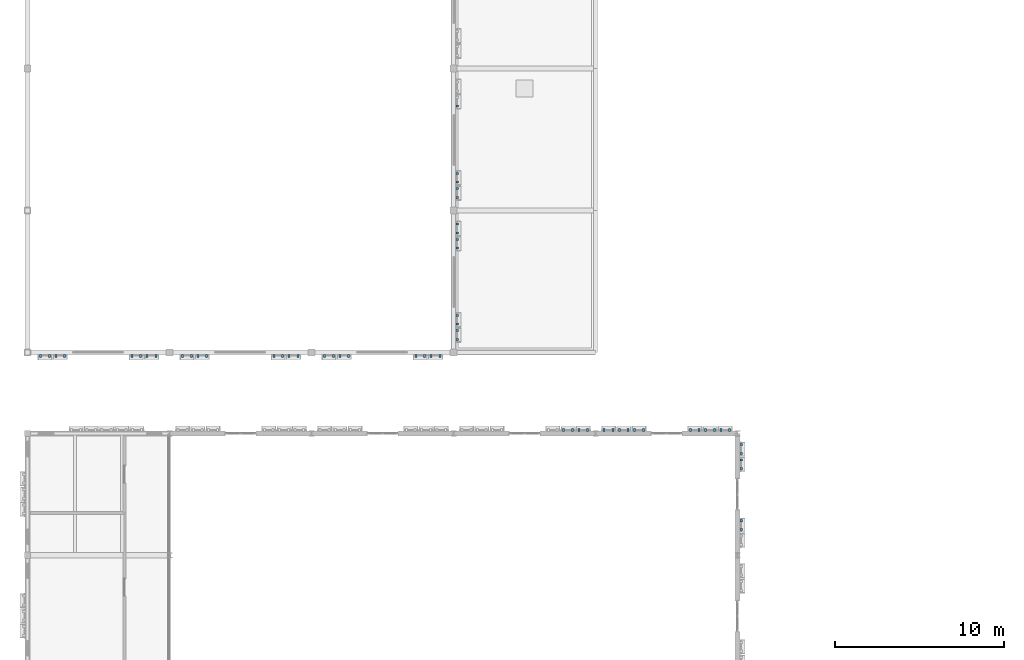
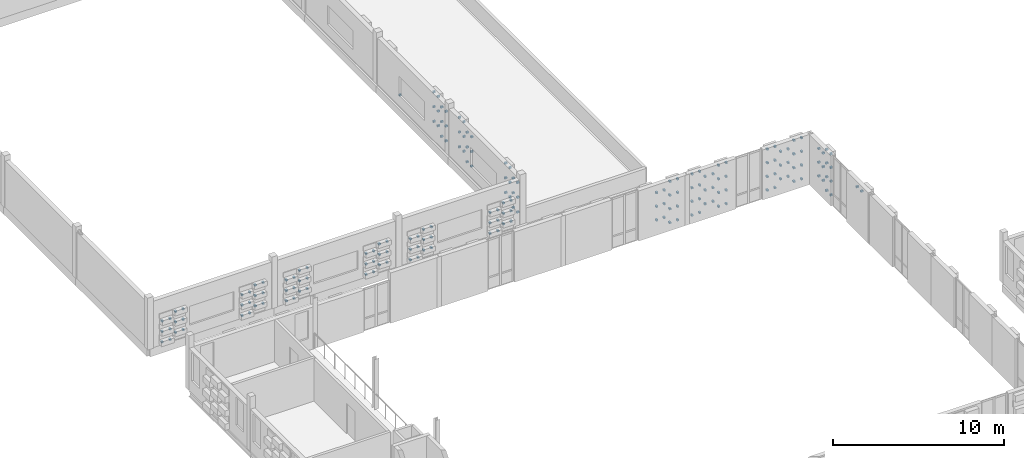
# One storey, part 48 of 57: 183 discrete accessories.
"""IFC4 building model written with IfcOpenShell, lengths in metres."""

from ifc_helpers import new_model, si_unit, direction, frame, origin, origin_2d, place, context, subcontext, project, spatial, rectangle, extrude, material, type_object, element, save


model = new_model("IFC4")

# Units and contexts
model_context = context("Model", 3, precision=1e-05, world=origin(), true_north=direction((0.0, 1.0)))
body_context = subcontext(model_context, "Body", "Model", "MODEL_VIEW")
ifc_project = project(units=[si_unit("LENGTHUNIT", "METRE"), si_unit("AREAUNIT", "SQUARE_METRE"), si_unit("VOLUMEUNIT", "CUBIC_METRE"), si_unit("PLANEANGLEUNIT", "RADIAN"), si_unit("MASSUNIT", "GRAM", prefix="KILO")], contexts=[model_context])

# Site, building, storey
site_placement = place(None, origin())
site = spatial("IfcSite", under=ifc_project, at=site_placement, CompositionType="ELEMENT")
building_placement = place(site_placement, origin())
building = spatial("IfcBuilding", under=site, at=building_placement, Name="Kahlenmark Community Centre", CompositionType="ELEMENT")
storey_placement = place(building_placement, frame((0.0, 0.0, 13.800048828125)))
storey = spatial("IfcBuildingStorey", under=building, at=storey_placement, Name="L03", CompositionType="ELEMENT", Elevation=13.800048828125)

# Discrete accessories
ifc_material = material(Name="Stainless steel 1.4401 rainscreen bracket", Category="steel")
discrete_accessory_type = type_object("IfcDiscreteAccessoryType", Name="DAT-BRACKET-TC", PredefinedType="BRACKET", material=ifc_material)
for number, where, z_axis, x_axis, name in (
    (1, (37.1298828125, 37.81005859375, 0.264892578125), (0.0, 0.0, 1.0), (-1.0, 0.0, 0.0), "Terracotta cassette bracket 3676.1"),
    (2, (36.610107421875, 37.81005859375, 0.264892578125), (0.0, 0.0, 1.0), (-1.0, 0.0, 0.0), "Terracotta cassette bracket 3676.2"),
    (3, (37.1298828125, 37.81005859375, 1.244873046875), (0.0, 0.0, 1.0), (-1.0, 0.0, 0.0), "Terracotta cassette bracket 3678.1"),
    (4, (36.610107421875, 37.81005859375, 1.244873046875), (0.0, 0.0, 1.0), (-1.0, 0.0, 0.0), "Terracotta cassette bracket 3678.2"),
    (5, (37.1298828125, 37.81005859375, 2.224853515625), (0.0, 0.0, 1.0), (-1.0, 0.0, 0.0), "Terracotta cassette bracket 3680.1"),
    (6, (36.610107421875, 37.81005859375, 2.224853515625), (0.0, 0.0, 1.0), (-1.0, 0.0, 0.0), "Terracotta cassette bracket 3680.2"),
    (7, (37.1298828125, 37.81005859375, 3.204833984375), (0.0, 0.0, 1.0), (-1.0, 0.0, 0.0), "Terracotta cassette bracket 3682.1"),
    (8, (36.610107421875, 37.81005859375, 3.204833984375), (0.0, 0.0, 1.0), (-1.0, 0.0, 0.0), "Terracotta cassette bracket 3682.2"),
    (9, (36.22998046875, 37.81005859375, 0.7548828125), (0.0, 0.0, 1.0), (-1.0, 0.0, 0.0), "Terracotta cassette bracket 3684.1"),
    (10, (35.7099609375, 37.81005859375, 0.7548828125), (0.0, 0.0, 1.0), (-1.0, 0.0, 0.0), "Terracotta cassette bracket 3684.2"),
    (11, (36.22998046875, 37.81005859375, 1.73486328125), (0.0, 0.0, 1.0), (-1.0, 0.0, 0.0), "Terracotta cassette bracket 3686.1"),
    (12, (35.7099609375, 37.81005859375, 1.73486328125), (0.0, 0.0, 1.0), (-1.0, 0.0, 0.0), "Terracotta cassette bracket 3686.2"),
    (13, (36.22998046875, 37.81005859375, 2.71484375), (0.0, 0.0, 1.0), (-1.0, 0.0, 0.0), "Terracotta cassette bracket 3688.1"),
    (14, (35.7099609375, 37.81005859375, 2.71484375), (0.0, 0.0, 1.0), (-1.0, 0.0, 0.0), "Terracotta cassette bracket 3688.2"),
    (15, (45.530029296875, 37.81005859375, 0.264892578125), (0.0, 0.0, 1.0), (-1.0, 0.0, 0.0), "Terracotta cassette bracket 3718.1"),
    (16, (45.010009765625, 37.81005859375, 0.264892578125), (0.0, 0.0, 1.0), (-1.0, 0.0, 0.0), "Terracotta cassette bracket 3718.2"),
    (17, (45.530029296875, 37.81005859375, 1.244873046875), (0.0, 0.0, 1.0), (-1.0, 0.0, 0.0), "Terracotta cassette bracket 3720.1"),
    (18, (45.010009765625, 37.81005859375, 1.244873046875), (0.0, 0.0, 1.0), (-1.0, 0.0, 0.0), "Terracotta cassette bracket 3720.2"),
    (19, (45.530029296875, 37.81005859375, 2.224853515625), (0.0, 0.0, 1.0), (-1.0, 0.0, 0.0), "Terracotta cassette bracket 3722.1"),
    (20, (45.010009765625, 37.81005859375, 2.224853515625), (0.0, 0.0, 1.0), (-1.0, 0.0, 0.0), "Terracotta cassette bracket 3722.2"),
    (21, (45.530029296875, 37.81005859375, 3.204833984375), (0.0, 0.0, 1.0), (-1.0, 0.0, 0.0), "Terracotta cassette bracket 3724.1"),
    (22, (45.010009765625, 37.81005859375, 3.204833984375), (0.0, 0.0, 1.0), (-1.0, 0.0, 0.0), "Terracotta cassette bracket 3724.2"),
    (23, (44.6298828125, 37.81005859375, 0.7548828125), (0.0, 0.0, 1.0), (-1.0, 0.0, 0.0), "Terracotta cassette bracket 3726.1"),
    (24, (44.110107421875, 37.81005859375, 0.7548828125), (0.0, 0.0, 1.0), (-1.0, 0.0, 0.0), "Terracotta cassette bracket 3726.2"),
    (25, (44.6298828125, 37.81005859375, 1.73486328125), (0.0, 0.0, 1.0), (-1.0, 0.0, 0.0), "Terracotta cassette bracket 3728.1"),
    (26, (44.110107421875, 37.81005859375, 1.73486328125), (0.0, 0.0, 1.0), (-1.0, 0.0, 0.0), "Terracotta cassette bracket 3728.2"),
    (27, (44.6298828125, 37.81005859375, 2.71484375), (0.0, 0.0, 1.0), (-1.0, 0.0, 0.0), "Terracotta cassette bracket 3730.1"),
    (28, (44.110107421875, 37.81005859375, 2.71484375), (0.0, 0.0, 1.0), (-1.0, 0.0, 0.0), "Terracotta cassette bracket 3730.2"),
    (29, (43.72998046875, 37.81005859375, 0.264892578125), (0.0, 0.0, 1.0), (-1.0, 0.0, 0.0), "Terracotta cassette bracket 3732.1"),
    (30, (43.2099609375, 37.81005859375, 0.264892578125), (0.0, 0.0, 1.0), (-1.0, 0.0, 0.0), "Terracotta cassette bracket 3732.2"),
    (31, (43.72998046875, 37.81005859375, 1.244873046875), (0.0, 0.0, 1.0), (-1.0, 0.0, 0.0), "Terracotta cassette bracket 3734.1"),
    (32, (43.2099609375, 37.81005859375, 1.244873046875), (0.0, 0.0, 1.0), (-1.0, 0.0, 0.0), "Terracotta cassette bracket 3734.2"),
    (33, (43.72998046875, 37.81005859375, 2.224853515625), (0.0, 0.0, 1.0), (-1.0, 0.0, 0.0), "Terracotta cassette bracket 3736.1"),
    (34, (43.2099609375, 37.81005859375, 2.224853515625), (0.0, 0.0, 1.0), (-1.0, 0.0, 0.0), "Terracotta cassette bracket 3736.2"),
    (35, (43.72998046875, 37.81005859375, 3.204833984375), (0.0, 0.0, 1.0), (-1.0, 0.0, 0.0), "Terracotta cassette bracket 3738.1"),
    (36, (43.2099609375, 37.81005859375, 3.204833984375), (0.0, 0.0, 1.0), (-1.0, 0.0, 0.0), "Terracotta cassette bracket 3738.2"),
    (37, (40.429931640625, 37.81005859375, 0.264892578125), (0.0, 0.0, 1.0), (-1.0, 0.0, 0.0), "Terracotta cassette bracket 3739.1"),
    (38, (39.909912109375, 37.81005859375, 0.264892578125), (0.0, 0.0, 1.0), (-1.0, 0.0, 0.0), "Terracotta cassette bracket 3739.2"),
    (39, (40.429931640625, 37.81005859375, 1.244873046875), (0.0, 0.0, 1.0), (-1.0, 0.0, 0.0), "Terracotta cassette bracket 3741.1"),
    (40, (39.909912109375, 37.81005859375, 1.244873046875), (0.0, 0.0, 1.0), (-1.0, 0.0, 0.0), "Terracotta cassette bracket 3741.2"),
    (41, (40.429931640625, 37.81005859375, 2.224853515625), (0.0, 0.0, 1.0), (-1.0, 0.0, 0.0), "Terracotta cassette bracket 3743.1"),
    (42, (39.909912109375, 37.81005859375, 2.224853515625), (0.0, 0.0, 1.0), (-1.0, 0.0, 0.0), "Terracotta cassette bracket 3743.2"),
    (43, (40.429931640625, 37.81005859375, 3.204833984375), (0.0, 0.0, 1.0), (-1.0, 0.0, 0.0), "Terracotta cassette bracket 3745.1"),
    (44, (39.909912109375, 37.81005859375, 3.204833984375), (0.0, 0.0, 1.0), (-1.0, 0.0, 0.0), "Terracotta cassette bracket 3745.2"),
    (45, (39.530029296875, 37.81005859375, 0.7548828125), (0.0, 0.0, 1.0), (-1.0, 0.0, 0.0), "Terracotta cassette bracket 3747.1"),
    (46, (39.010009765625, 37.81005859375, 0.7548828125), (0.0, 0.0, 1.0), (-1.0, 0.0, 0.0), "Terracotta cassette bracket 3747.2"),
    (47, (39.530029296875, 37.81005859375, 1.73486328125), (0.0, 0.0, 1.0), (-1.0, 0.0, 0.0), "Terracotta cassette bracket 3749.1"),
    (48, (39.010009765625, 37.81005859375, 1.73486328125), (0.0, 0.0, 1.0), (-1.0, 0.0, 0.0), "Terracotta cassette bracket 3749.2"),
    (49, (39.530029296875, 37.81005859375, 2.71484375), (0.0, 0.0, 1.0), (-1.0, 0.0, 0.0), "Terracotta cassette bracket 3751.1"),
    (50, (39.010009765625, 37.81005859375, 2.71484375), (0.0, 0.0, 1.0), (-1.0, 0.0, 0.0), "Terracotta cassette bracket 3751.2"),
    (51, (38.6298828125, 37.81005859375, 0.264892578125), (0.0, 0.0, 1.0), (-1.0, 0.0, 0.0), "Terracotta cassette bracket 3753.1"),
    (52, (38.110107421875, 37.81005859375, 0.264892578125), (0.0, 0.0, 1.0), (-1.0, 0.0, 0.0), "Terracotta cassette bracket 3753.2"),
    (53, (38.6298828125, 37.81005859375, 1.244873046875), (0.0, 0.0, 1.0), (-1.0, 0.0, 0.0), "Terracotta cassette bracket 3755.1"),
    (54, (38.110107421875, 37.81005859375, 1.244873046875), (0.0, 0.0, 1.0), (-1.0, 0.0, 0.0), "Terracotta cassette bracket 3755.2"),
    (55, (38.6298828125, 37.81005859375, 2.224853515625), (0.0, 0.0, 1.0), (-1.0, 0.0, 0.0), "Terracotta cassette bracket 3757.1"),
    (56, (38.110107421875, 37.81005859375, 2.224853515625), (0.0, 0.0, 1.0), (-1.0, 0.0, 0.0), "Terracotta cassette bracket 3757.2"),
    (57, (38.6298828125, 37.81005859375, 3.204833984375), (0.0, 0.0, 1.0), (-1.0, 0.0, 0.0), "Terracotta cassette bracket 3759.1"),
    (58, (38.110107421875, 37.81005859375, 3.204833984375), (0.0, 0.0, 1.0), (-1.0, 0.0, 0.0), "Terracotta cassette bracket 3759.2"),
    (59, (46.2099609375, 31.919921875, 2.71484375), (0.0, 0.0, 1.0), (0.0, 1.0, 0.0), "Terracotta cassette bracket 3940.1"),
    (60, (46.2099609375, 32.43994140625, 2.71484375), (0.0, 0.0, 1.0), (0.0, 1.0, 0.0), "Terracotta cassette bracket 3940.2"),
    (61, (46.2099609375, 35.52001953125, 0.264892578125), (0.0, 0.0, 1.0), (0.0, 1.0, 0.0), "Terracotta cassette bracket 3942.1"),
    (62, (46.2099609375, 36.0400390625, 0.264892578125), (0.0, 0.0, 1.0), (0.0, 1.0, 0.0), "Terracotta cassette bracket 3942.2"),
    (63, (46.2099609375, 35.52001953125, 1.244873046875), (0.0, 0.0, 1.0), (0.0, 1.0, 0.0), "Terracotta cassette bracket 3944.1"),
    (64, (46.2099609375, 36.0400390625, 1.244873046875), (0.0, 0.0, 1.0), (0.0, 1.0, 0.0), "Terracotta cassette bracket 3944.2"),
    (65, (46.2099609375, 35.52001953125, 2.224853515625), (0.0, 0.0, 1.0), (0.0, 1.0, 0.0), "Terracotta cassette bracket 3946.1"),
    (66, (46.2099609375, 36.0400390625, 2.224853515625), (0.0, 0.0, 1.0), (0.0, 1.0, 0.0), "Terracotta cassette bracket 3946.2"),
    (67, (46.2099609375, 35.52001953125, 3.204833984375), (0.0, 0.0, 1.0), (0.0, 1.0, 0.0), "Terracotta cassette bracket 3948.1"),
    (68, (46.2099609375, 36.0400390625, 3.204833984375), (0.0, 0.0, 1.0), (0.0, 1.0, 0.0), "Terracotta cassette bracket 3948.2"),
    (69, (46.2099609375, 36.419921875, 0.7548828125), (0.0, 0.0, 1.0), (0.0, 1.0, 0.0), "Terracotta cassette bracket 3950.1"),
    (70, (46.2099609375, 36.93994140625, 0.7548828125), (0.0, 0.0, 1.0), (0.0, 1.0, 0.0), "Terracotta cassette bracket 3950.2"),
    (71, (46.2099609375, 36.419921875, 1.73486328125), (0.0, 0.0, 1.0), (0.0, 1.0, 0.0), "Terracotta cassette bracket 3952.1"),
    (72, (46.2099609375, 36.93994140625, 1.73486328125), (0.0, 0.0, 1.0), (0.0, 1.0, 0.0), "Terracotta cassette bracket 3952.2"),
    (73, (46.2099609375, 36.419921875, 2.71484375), (0.0, 0.0, 1.0), (0.0, 1.0, 0.0), "Terracotta cassette bracket 3954.1"),
    (74, (46.2099609375, 36.93994140625, 2.71484375), (0.0, 0.0, 1.0), (0.0, 1.0, 0.0), "Terracotta cassette bracket 3954.2"),
    (75, (4.77001953125, 42.18994140625, 0.206298828125), (0.0, 0.0, 1.0), (1.0, 0.0, 0.0), "Terracotta cassette bracket 3956.1"),
    (76, (5.2900390625, 42.18994140625, 0.206298828125), (0.0, 0.0, 1.0), (1.0, 0.0, 0.0), "Terracotta cassette bracket 3956.2"),
    (77, (4.77001953125, 42.18994140625, 0.952392578125), (0.0, 0.0, 1.0), (1.0, 0.0, 0.0), "Terracotta cassette bracket 3958.1"),
    (78, (5.2900390625, 42.18994140625, 0.952392578125), (0.0, 0.0, 1.0), (1.0, 0.0, 0.0), "Terracotta cassette bracket 3958.2"),
    (79, (4.77001953125, 42.18994140625, 1.698486328125), (0.0, 0.0, 1.0), (1.0, 0.0, 0.0), "Terracotta cassette bracket 3960.1"),
    (80, (5.2900390625, 42.18994140625, 1.698486328125), (0.0, 0.0, 1.0), (1.0, 0.0, 0.0), "Terracotta cassette bracket 3960.2"),
    (81, (5.669921875, 42.18994140625, 0.579345703125), (0.0, 0.0, 1.0), (1.0, 0.0, 0.0), "Terracotta cassette bracket 3963.1"),
    (82, (6.18994140625, 42.18994140625, 0.579345703125), (0.0, 0.0, 1.0), (1.0, 0.0, 0.0), "Terracotta cassette bracket 3963.2"),
    (83, (5.669921875, 42.18994140625, 1.325439453125), (0.0, 0.0, 1.0), (1.0, 0.0, 0.0), "Terracotta cassette bracket 3965.1"),
    (84, (6.18994140625, 42.18994140625, 1.325439453125), (0.0, 0.0, 1.0), (1.0, 0.0, 0.0), "Terracotta cassette bracket 3965.2"),
    (85, (5.669921875, 42.18994140625, 2.0712890625), (0.0, 0.0, 1.0), (1.0, 0.0, 0.0), "Terracotta cassette bracket 3967.1"),
    (86, (6.18994140625, 42.18994140625, 2.0712890625), (0.0, 0.0, 1.0), (1.0, 0.0, 0.0), "Terracotta cassette bracket 3967.2"),
    (87, (10.169921875, 42.18994140625, 0.206298828125), (0.0, 0.0, 1.0), (1.0, 0.0, 0.0), "Terracotta cassette bracket 3968.1"),
    (88, (10.68994140625, 42.18994140625, 0.206298828125), (0.0, 0.0, 1.0), (1.0, 0.0, 0.0), "Terracotta cassette bracket 3968.2"),
    (89, (10.169921875, 42.18994140625, 0.952392578125), (0.0, 0.0, 1.0), (1.0, 0.0, 0.0), "Terracotta cassette bracket 3970.1"),
    (90, (10.68994140625, 42.18994140625, 0.952392578125), (0.0, 0.0, 1.0), (1.0, 0.0, 0.0), "Terracotta cassette bracket 3970.2"),
    (91, (10.169921875, 42.18994140625, 1.698486328125), (0.0, 0.0, 1.0), (1.0, 0.0, 0.0), "Terracotta cassette bracket 3972.1"),
    (92, (10.68994140625, 42.18994140625, 1.698486328125), (0.0, 0.0, 1.0), (1.0, 0.0, 0.0), "Terracotta cassette bracket 3972.2"),
    (93, (11.070068359375, 42.18994140625, 0.579345703125), (0.0, 0.0, 1.0), (1.0, 0.0, 0.0), "Terracotta cassette bracket 3975.1"),
    (94, (11.590087890625, 42.18994140625, 0.579345703125), (0.0, 0.0, 1.0), (1.0, 0.0, 0.0), "Terracotta cassette bracket 3975.2"),
    (95, (11.070068359375, 42.18994140625, 1.325439453125), (0.0, 0.0, 1.0), (1.0, 0.0, 0.0), "Terracotta cassette bracket 3977.1"),
    (96, (11.590087890625, 42.18994140625, 1.325439453125), (0.0, 0.0, 1.0), (1.0, 0.0, 0.0), "Terracotta cassette bracket 3977.2"),
    (97, (11.070068359375, 42.18994140625, 2.0712890625), (0.0, 0.0, 1.0), (1.0, 0.0, 0.0), "Terracotta cassette bracket 3979.1"),
    (98, (11.590087890625, 42.18994140625, 2.0712890625), (0.0, 0.0, 1.0), (1.0, 0.0, 0.0), "Terracotta cassette bracket 3979.2"),
    (99, (13.169921875, 42.18994140625, 0.206298828125), (0.0, 0.0, 1.0), (1.0, 0.0, 0.0), "Terracotta cassette bracket 3980.1"),
    (100, (13.68994140625, 42.18994140625, 0.206298828125), (0.0, 0.0, 1.0), (1.0, 0.0, 0.0), "Terracotta cassette bracket 3980.2"),
    (101, (13.169921875, 42.18994140625, 0.952392578125), (0.0, 0.0, 1.0), (1.0, 0.0, 0.0), "Terracotta cassette bracket 3982.1"),
    (102, (13.68994140625, 42.18994140625, 0.952392578125), (0.0, 0.0, 1.0), (1.0, 0.0, 0.0), "Terracotta cassette bracket 3982.2"),
    (103, (13.169921875, 42.18994140625, 1.698486328125), (0.0, 0.0, 1.0), (1.0, 0.0, 0.0), "Terracotta cassette bracket 3984.1"),
    (104, (13.68994140625, 42.18994140625, 1.698486328125), (0.0, 0.0, 1.0), (1.0, 0.0, 0.0), "Terracotta cassette bracket 3984.2"),
    (105, (14.070068359375, 42.18994140625, 0.579345703125), (0.0, 0.0, 1.0), (1.0, 0.0, 0.0), "Terracotta cassette bracket 3987.1"),
    (106, (14.590087890625, 42.18994140625, 0.579345703125), (0.0, 0.0, 1.0), (1.0, 0.0, 0.0), "Terracotta cassette bracket 3987.2"),
    (107, (14.070068359375, 42.18994140625, 1.325439453125), (0.0, 0.0, 1.0), (1.0, 0.0, 0.0), "Terracotta cassette bracket 3989.1"),
    (108, (14.590087890625, 42.18994140625, 1.325439453125), (0.0, 0.0, 1.0), (1.0, 0.0, 0.0), "Terracotta cassette bracket 3989.2"),
    (109, (14.070068359375, 42.18994140625, 2.0712890625), (0.0, 0.0, 1.0), (1.0, 0.0, 0.0), "Terracotta cassette bracket 3991.1"),
    (110, (14.590087890625, 42.18994140625, 2.0712890625), (0.0, 0.0, 1.0), (1.0, 0.0, 0.0), "Terracotta cassette bracket 3991.2"),
    (111, (18.570068359375, 42.18994140625, 0.206298828125), (0.0, 0.0, 1.0), (1.0, 0.0, 0.0), "Terracotta cassette bracket 3992.1"),
    (112, (19.090087890625, 42.18994140625, 0.206298828125), (0.0, 0.0, 1.0), (1.0, 0.0, 0.0), "Terracotta cassette bracket 3992.2"),
    (113, (18.570068359375, 42.18994140625, 0.952392578125), (0.0, 0.0, 1.0), (1.0, 0.0, 0.0), "Terracotta cassette bracket 3994.1"),
    (114, (19.090087890625, 42.18994140625, 0.952392578125), (0.0, 0.0, 1.0), (1.0, 0.0, 0.0), "Terracotta cassette bracket 3994.2"),
    (115, (18.570068359375, 42.18994140625, 1.698486328125), (0.0, 0.0, 1.0), (1.0, 0.0, 0.0), "Terracotta cassette bracket 3996.1"),
    (116, (19.090087890625, 42.18994140625, 1.698486328125), (0.0, 0.0, 1.0), (1.0, 0.0, 0.0), "Terracotta cassette bracket 3996.2"),
    (117, (19.469970703125, 42.18994140625, 0.579345703125), (0.0, 0.0, 1.0), (1.0, 0.0, 0.0), "Terracotta cassette bracket 3999.1"),
    (118, (19.989990234375, 42.18994140625, 0.579345703125), (0.0, 0.0, 1.0), (1.0, 0.0, 0.0), "Terracotta cassette bracket 3999.2"),
    (119, (19.469970703125, 42.18994140625, 1.325439453125), (0.0, 0.0, 1.0), (1.0, 0.0, 0.0), "Terracotta cassette bracket 4001.1"),
    (120, (19.989990234375, 42.18994140625, 1.325439453125), (0.0, 0.0, 1.0), (1.0, 0.0, 0.0), "Terracotta cassette bracket 4001.2"),
    (121, (19.469970703125, 42.18994140625, 2.0712890625), (0.0, 0.0, 1.0), (1.0, 0.0, 0.0), "Terracotta cassette bracket 4003.1"),
    (122, (19.989990234375, 42.18994140625, 2.0712890625), (0.0, 0.0, 1.0), (1.0, 0.0, 0.0), "Terracotta cassette bracket 4003.2"),
    (123, (21.570068359375, 42.18994140625, 0.206298828125), (0.0, 0.0, 1.0), (1.0, 0.0, 0.0), "Terracotta cassette bracket 4004.1"),
    (124, (22.090087890625, 42.18994140625, 0.206298828125), (0.0, 0.0, 1.0), (1.0, 0.0, 0.0), "Terracotta cassette bracket 4004.2"),
    (125, (21.570068359375, 42.18994140625, 0.952392578125), (0.0, 0.0, 1.0), (1.0, 0.0, 0.0), "Terracotta cassette bracket 4006.1"),
    (126, (22.090087890625, 42.18994140625, 0.952392578125), (0.0, 0.0, 1.0), (1.0, 0.0, 0.0), "Terracotta cassette bracket 4006.2"),
    (127, (21.570068359375, 42.18994140625, 1.698486328125), (0.0, 0.0, 1.0), (1.0, 0.0, 0.0), "Terracotta cassette bracket 4008.1"),
    (128, (22.090087890625, 42.18994140625, 1.698486328125), (0.0, 0.0, 1.0), (1.0, 0.0, 0.0), "Terracotta cassette bracket 4008.2"),
    (129, (22.469970703125, 42.18994140625, 0.579345703125), (0.0, 0.0, 1.0), (1.0, 0.0, 0.0), "Terracotta cassette bracket 4011.1"),
    (130, (22.989990234375, 42.18994140625, 0.579345703125), (0.0, 0.0, 1.0), (1.0, 0.0, 0.0), "Terracotta cassette bracket 4011.2"),
    (131, (22.469970703125, 42.18994140625, 1.325439453125), (0.0, 0.0, 1.0), (1.0, 0.0, 0.0), "Terracotta cassette bracket 4013.1"),
    (132, (22.989990234375, 42.18994140625, 1.325439453125), (0.0, 0.0, 1.0), (1.0, 0.0, 0.0), "Terracotta cassette bracket 4013.2"),
    (133, (22.469970703125, 42.18994140625, 2.0712890625), (0.0, 0.0, 1.0), (1.0, 0.0, 0.0), "Terracotta cassette bracket 4015.1"),
    (134, (22.989990234375, 42.18994140625, 2.0712890625), (0.0, 0.0, 1.0), (1.0, 0.0, 0.0), "Terracotta cassette bracket 4015.2"),
    (135, (26.969970703125, 42.18994140625, 0.206298828125), (0.0, 0.0, 1.0), (1.0, 0.0, 0.0), "Terracotta cassette bracket 4016.1"),
    (136, (27.489990234375, 42.18994140625, 0.206298828125), (0.0, 0.0, 1.0), (1.0, 0.0, 0.0), "Terracotta cassette bracket 4016.2"),
    (137, (26.969970703125, 42.18994140625, 0.952392578125), (0.0, 0.0, 1.0), (1.0, 0.0, 0.0), "Terracotta cassette bracket 4018.1"),
    (138, (27.489990234375, 42.18994140625, 0.952392578125), (0.0, 0.0, 1.0), (1.0, 0.0, 0.0), "Terracotta cassette bracket 4018.2"),
    (139, (26.969970703125, 42.18994140625, 1.698486328125), (0.0, 0.0, 1.0), (1.0, 0.0, 0.0), "Terracotta cassette bracket 4020.1"),
    (140, (27.489990234375, 42.18994140625, 1.698486328125), (0.0, 0.0, 1.0), (1.0, 0.0, 0.0), "Terracotta cassette bracket 4020.2"),
    (141, (27.8701171875, 42.18994140625, 0.579345703125), (0.0, 0.0, 1.0), (1.0, 0.0, 0.0), "Terracotta cassette bracket 4023.1"),
    (142, (28.389892578125, 42.18994140625, 0.579345703125), (0.0, 0.0, 1.0), (1.0, 0.0, 0.0), "Terracotta cassette bracket 4023.2"),
    (143, (27.8701171875, 42.18994140625, 1.325439453125), (0.0, 0.0, 1.0), (1.0, 0.0, 0.0), "Terracotta cassette bracket 4025.1"),
    (144, (28.389892578125, 42.18994140625, 1.325439453125), (0.0, 0.0, 1.0), (1.0, 0.0, 0.0), "Terracotta cassette bracket 4025.2"),
    (145, (27.8701171875, 42.18994140625, 2.0712890625), (0.0, 0.0, 1.0), (1.0, 0.0, 0.0), "Terracotta cassette bracket 4027.1"),
    (146, (28.389892578125, 42.18994140625, 2.0712890625), (0.0, 0.0, 1.0), (1.0, 0.0, 0.0), "Terracotta cassette bracket 4027.2"),
    (147, (29.409912109375, 43.169921875, 0.283447265625), (0.0, 0.0, 1.0), (0.0, 1.0, 0.0), "Terracotta cassette bracket 4100.1"),
    (148, (29.409912109375, 43.68994140625, 0.283447265625), (0.0, 0.0, 1.0), (0.0, 1.0, 0.0), "Terracotta cassette bracket 4100.2"),
    (149, (29.409912109375, 43.169921875, 1.33740234375), (0.0, 0.0, 1.0), (0.0, 1.0, 0.0), "Terracotta cassette bracket 4102.1"),
    (150, (29.409912109375, 43.68994140625, 1.33740234375), (0.0, 0.0, 1.0), (0.0, 1.0, 0.0), "Terracotta cassette bracket 4102.2"),
    (151, (29.409912109375, 43.169921875, 2.391357421875), (0.0, 0.0, 1.0), (0.0, 1.0, 0.0), "Terracotta cassette bracket 4104.1"),
    (152, (29.409912109375, 43.68994140625, 2.391357421875), (0.0, 0.0, 1.0), (0.0, 1.0, 0.0), "Terracotta cassette bracket 4104.2"),
    (153, (29.409912109375, 44.070068359375, 0.810302734375), (0.0, 0.0, 1.0), (0.0, 1.0, 0.0), "Terracotta cassette bracket 4107.1"),
    (154, (29.409912109375, 44.590087890625, 0.810302734375), (0.0, 0.0, 1.0), (0.0, 1.0, 0.0), "Terracotta cassette bracket 4107.2"),
    (155, (29.409912109375, 44.070068359375, 1.864501953125), (0.0, 0.0, 1.0), (0.0, 1.0, 0.0), "Terracotta cassette bracket 4109.1"),
    (156, (29.409912109375, 44.590087890625, 1.864501953125), (0.0, 0.0, 1.0), (0.0, 1.0, 0.0), "Terracotta cassette bracket 4109.2"),
    (157, (29.409912109375, 44.070068359375, 2.91845703125), (0.0, 0.0, 1.0), (0.0, 1.0, 0.0), "Terracotta cassette bracket 4111.1"),
    (158, (29.409912109375, 44.590087890625, 2.91845703125), (0.0, 0.0, 1.0), (0.0, 1.0, 0.0), "Terracotta cassette bracket 4111.2"),
    (159, (29.409912109375, 48.570068359375, 0.283447265625), (0.0, 0.0, 1.0), (0.0, 1.0, 0.0), "Terracotta cassette bracket 4112.1"),
    (160, (29.409912109375, 49.090087890625, 0.283447265625), (0.0, 0.0, 1.0), (0.0, 1.0, 0.0), "Terracotta cassette bracket 4112.2"),
    (161, (29.409912109375, 48.570068359375, 1.33740234375), (0.0, 0.0, 1.0), (0.0, 1.0, 0.0), "Terracotta cassette bracket 4114.1"),
    (162, (29.409912109375, 49.090087890625, 1.33740234375), (0.0, 0.0, 1.0), (0.0, 1.0, 0.0), "Terracotta cassette bracket 4114.2"),
    (163, (29.409912109375, 48.570068359375, 2.391357421875), (0.0, 0.0, 1.0), (0.0, 1.0, 0.0), "Terracotta cassette bracket 4116.1"),
    (164, (29.409912109375, 49.090087890625, 2.391357421875), (0.0, 0.0, 1.0), (0.0, 1.0, 0.0), "Terracotta cassette bracket 4116.2"),
    (165, (29.409912109375, 49.469970703125, 0.810302734375), (0.0, 0.0, 1.0), (0.0, 1.0, 0.0), "Terracotta cassette bracket 4119.1"),
    (166, (29.409912109375, 49.989990234375, 0.810302734375), (0.0, 0.0, 1.0), (0.0, 1.0, 0.0), "Terracotta cassette bracket 4119.2"),
    (167, (29.409912109375, 49.469970703125, 1.864501953125), (0.0, 0.0, 1.0), (0.0, 1.0, 0.0), "Terracotta cassette bracket 4121.1"),
    (168, (29.409912109375, 49.989990234375, 1.864501953125), (0.0, 0.0, 1.0), (0.0, 1.0, 0.0), "Terracotta cassette bracket 4121.2"),
    (169, (29.409912109375, 49.469970703125, 2.91845703125), (0.0, 0.0, 1.0), (0.0, 1.0, 0.0), "Terracotta cassette bracket 4123.1"),
    (170, (29.409912109375, 49.989990234375, 2.91845703125), (0.0, 0.0, 1.0), (0.0, 1.0, 0.0), "Terracotta cassette bracket 4123.2"),
    (171, (29.409912109375, 51.570068359375, 0.283447265625), (0.0, 0.0, 1.0), (0.0, 1.0, 0.0), "Terracotta cassette bracket 4124.1"),
    (172, (29.409912109375, 52.090087890625, 0.283447265625), (0.0, 0.0, 1.0), (0.0, 1.0, 0.0), "Terracotta cassette bracket 4124.2"),
    (173, (29.409912109375, 51.570068359375, 1.33740234375), (0.0, 0.0, 1.0), (0.0, 1.0, 0.0), "Terracotta cassette bracket 4126.1"),
    (174, (29.409912109375, 52.090087890625, 1.33740234375), (0.0, 0.0, 1.0), (0.0, 1.0, 0.0), "Terracotta cassette bracket 4126.2"),
    (175, (29.409912109375, 51.570068359375, 2.391357421875), (0.0, 0.0, 1.0), (0.0, 1.0, 0.0), "Terracotta cassette bracket 4128.1"),
    (176, (29.409912109375, 52.090087890625, 2.391357421875), (0.0, 0.0, 1.0), (0.0, 1.0, 0.0), "Terracotta cassette bracket 4128.2"),
    (177, (29.409912109375, 52.469970703125, 0.810302734375), (0.0, 0.0, 1.0), (0.0, 1.0, 0.0), "Terracotta cassette bracket 4131.1"),
    (178, (29.409912109375, 52.989990234375, 0.810302734375), (0.0, 0.0, 1.0), (0.0, 1.0, 0.0), "Terracotta cassette bracket 4131.2"),
    (179, (29.409912109375, 52.469970703125, 1.864501953125), (0.0, 0.0, 1.0), (0.0, 1.0, 0.0), "Terracotta cassette bracket 4133.1"),
    (180, (29.409912109375, 52.989990234375, 1.864501953125), (0.0, 0.0, 1.0), (0.0, 1.0, 0.0), "Terracotta cassette bracket 4133.2"),
    (181, (29.409912109375, 52.469970703125, 2.91845703125), (0.0, 0.0, 1.0), (0.0, 1.0, 0.0), "Terracotta cassette bracket 4135.1"),
    (182, (29.409912109375, 52.989990234375, 2.91845703125), (0.0, 0.0, 1.0), (0.0, 1.0, 0.0), "Terracotta cassette bracket 4135.2"),
    (183, (29.409912109375, 56.969970703125, 0.283447265625), (0.0, 0.0, 1.0), (0.0, 1.0, 0.0), "Terracotta cassette bracket 4136.1"),
):
    element("IfcDiscreteAccessory", number, at=place(storey_placement, frame(where, z_axis=z_axis, x_axis=x_axis)), inside=storey, type_object=discrete_accessory_type, Name=name, PredefinedType="BRACKET", context=body_context, shape_type="SweptSolid", body=[
        extrude(rectangle(XDim=0.1201171875, YDim=0.159912109375, at=origin_2d()), origin(), (0.0, 0.0, 1.0), 0.1201171875),
    ])

save(model, "model.ifc")
